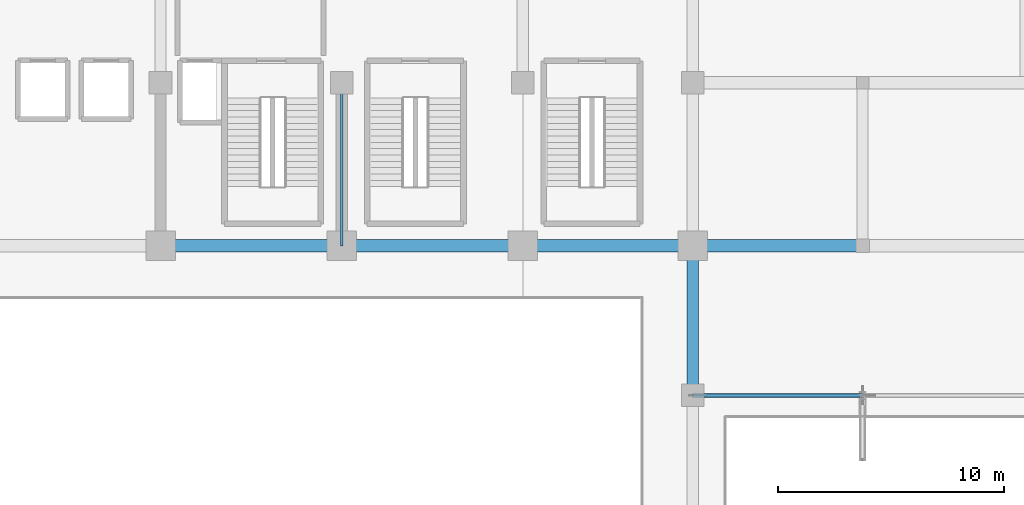
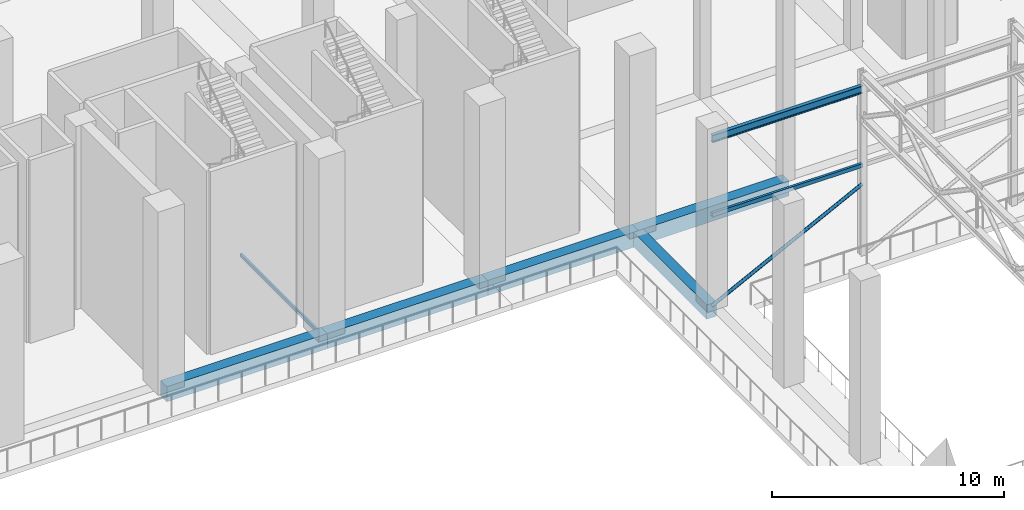
# One storey, part 32 of 80: 6 beams, 3 members.
"""IFC4 building model written with IfcOpenShell, lengths in metres."""

from ifc_helpers import new_model, si_unit, direction, frame, origin, origin_2d, place, context, subcontext, project, spatial, rectangle, hollow_rectangle, hollow_circle, i_section, extrude, material, material_profile, profile_set, type_object, element, save


model = new_model("IFC4")

# Units and contexts
model_context = context("Model", 3, precision=1e-05, world=origin(), true_north=direction((0.0, 1.0)))
body_context = subcontext(model_context, "Body", "Model", "MODEL_VIEW")
ifc_project = project(units=[si_unit("LENGTHUNIT", "METRE"), si_unit("AREAUNIT", "SQUARE_METRE"), si_unit("VOLUMEUNIT", "CUBIC_METRE"), si_unit("PLANEANGLEUNIT", "RADIAN"), si_unit("MASSUNIT", "GRAM", prefix="KILO")], contexts=[model_context])

# Site, building, storey
site_placement = place(None, origin())
site = spatial("IfcSite", under=ifc_project, at=site_placement, CompositionType="ELEMENT")
building_placement = place(site_placement, origin())
building = spatial("IfcBuilding", under=site, at=building_placement, Name="Akrevak Sports Hall", CompositionType="ELEMENT")
storey_placement = place(building_placement, frame((0.0, 0.0, 14.0)))
storey = spatial("IfcBuildingStorey", under=building, at=storey_placement, Name="L03", CompositionType="ELEMENT", Elevation=14.0)

# Beams
ifc_material_1 = material(Name="Concrete C40/50", Category="concrete")
ifc_material_profile_1 = material_profile(ifc_material_1, rectangle(XDim=0.5, YDim=0.75, at=origin_2d()), Name="BM 500x750", Category="concrete")
ifc_profile_set_1 = profile_set([ifc_material_profile_1], Name="Concrete C40/50")
beam_type_1 = type_object("IfcBeamType", Name="STR-BM-RC500x750", PredefinedType="BEAM", material=ifc_profile_set_1)
beam_1_placement = place(storey_placement, frame((115.5, 48.60009765625, -0.375), z_axis=(0.0, 1.0, 0.0), x_axis=(-1.0, 0.0, 0.0)))
element("IfcBeam", 1, at=beam_1_placement, inside=storey, type_object=beam_type_1, Name="Girder 16/H-I (L03)", PredefinedType="BEAM", context=body_context, shape_type="SweptSolid", body=[
    extrude(rectangle(XDim=0.5, YDim=0.75, at=origin_2d()), origin(), (0.0, 0.0, 1.0), 6.599853515625),
])
ifc_material_profile_2 = material_profile(ifc_material_1, rectangle(XDim=0.550048828125, YDim=0.800048828125, at=origin_2d()), Name="BM 550x800", Category="concrete")
ifc_profile_set_2 = profile_set([ifc_material_profile_2], Name="Concrete C40/50")
beam_type_2 = type_object("IfcBeamType", Name="STR-BM-RC550x800", PredefinedType="BEAM", material=ifc_profile_set_2)
for number, where, z_axis, x_axis, name in (
    (2, (92.0, 55.199951171875, -0.39990234375), (1.0, 0.0, 0.0), (0.0, 1.0, 0.0), "Girder I/13-14 (L03)"),
    (3, (100.0, 55.199951171875, -0.39990234375), (1.0, 0.0, 0.0), (0.0, 1.0, 0.0), "Girder I/14-15 (L03)"),
):
    element("IfcBeam", number, at=place(storey_placement, frame(where, z_axis=z_axis, x_axis=x_axis)), inside=storey, type_object=beam_type_2, Name=name, PredefinedType="BEAM", context=body_context, shape_type="SweptSolid", body=[
        extrude(rectangle(XDim=0.550048828125, YDim=0.800048828125, at=origin_2d()), origin(), (0.0, 0.0, 1.0), 8.0),
    ])
for number, where, z_axis, x_axis, name in (
    (4, (108.0, 55.199951171875, -0.39990234375), (1.0, 0.0, 0.0), (0.0, 1.0, 0.0), "Girder I/15-16 (L03)"),
    (5, (115.5, 55.199951171875, -0.39990234375), (1.0, 0.0, 0.0), (0.0, 1.0, 0.0), "Girder I/16-17 (L03)"),
):
    element("IfcBeam", number, at=place(storey_placement, frame(where, z_axis=z_axis, x_axis=x_axis)), inside=storey, type_object=beam_type_2, Name=name, PredefinedType="BEAM", context=body_context, shape_type="SweptSolid", body=[
        extrude(rectangle(XDim=0.550048828125, YDim=0.800048828125, at=origin_2d()), origin(), (0.0, 0.0, 1.0), 7.5),
    ])
ifc_material_2 = material(Name="Steel S355", Category="steel")
ifc_material_profile_3 = material_profile(ifc_material_2, i_section(OverallWidth=0.179931640625, OverallDepth=0.39990234375, WebThickness=0.008544921875, FlangeThickness=0.013427734375, FilletRadius=0.02099609375, at=origin_2d()), Name="IPE 400", Category="steel")
ifc_profile_set_3 = profile_set([ifc_material_profile_3], Name="Steel S355")
beam_type_3 = type_object("IfcBeamType", Name="STR-BM-STL-IPE400", PredefinedType="JOIST", material=ifc_profile_set_3)
beam_2_placement = place(storey_placement, frame((115.5, 48.60009765625, 8.699951171875), z_axis=(1.0, 0.0, 0.0), x_axis=(0.0, 1.0, 0.0)))
element("IfcBeam", 6, at=beam_2_placement, inside=storey, type_object=beam_type_3, Name="Climbing Frame Tie Beam 1 (L03)", PredefinedType="JOIST", context=body_context, shape_type="SweptSolid", body=[
    extrude(i_section(OverallWidth=0.179931640625, OverallDepth=0.39990234375, WebThickness=0.008544921875, FlangeThickness=0.013427734375, FilletRadius=0.02099609375, at=origin_2d()), origin(), (0.0, 0.0, 1.0), 7.5),
])

# Members
ifc_material_profile_4 = material_profile(ifc_material_2, hollow_circle(Radius=0.084228515625, WallThickness=0.008056640625, at=origin_2d()), Name="CHS 168.3x8", Category="steel")
ifc_profile_set_4 = profile_set([ifc_material_profile_4], Name="Steel S355")
member_type_1 = type_object("IfcMemberType", Name="STR-MEM-BRACE-CHS168", PredefinedType="BRACE", material=ifc_profile_set_4)
member_1_placement = place(storey_placement, frame((115.5, 48.60009765625, -0.1298828125), z_axis=(0.892045141587, 0.0, 0.451946308062), x_axis=(0.0, 1.0, 0.0)))
element("IfcMember", 7, at=member_1_placement, inside=storey, type_object=member_type_1, Name="Climbing Wall Diagonal Brace BR-1 (L03)", PredefinedType="BRACE", context=body_context, shape_type="SweptSolid", body=[
    extrude(hollow_circle(Radius=0.084228515625, WallThickness=0.008056640625, at=origin_2d()), origin(), (0.0, 0.0, 1.0), 8.40771484375),
])
ifc_material_profile_5 = material_profile(ifc_material_2, hollow_rectangle(XDim=0.10009765625, YDim=0.179931640625, WallThickness=0.008056640625, at=origin_2d()), Name="RHS 180x100x8", Category="steel")
ifc_profile_set_5 = profile_set([ifc_material_profile_5], Name="Steel S355")
member_type_2 = type_object("IfcMemberType", Name="STR-MEM-STR-RHS180", PredefinedType="STRINGER", material=ifc_profile_set_5)
member_2_placement = place(storey_placement, frame((100.0, 55.199951171875, -0.3798828125), z_axis=(0.0, 1.0, 0.0), x_axis=(-1.0, 0.0, 0.0)))
element("IfcMember", 8, at=member_2_placement, inside=storey, type_object=member_type_2, Name="Upper Gallery Tie Stringer 5", PredefinedType="STRINGER", context=body_context, shape_type="SweptSolid", body=[
    extrude(hollow_rectangle(XDim=0.10009765625, YDim=0.179931640625, WallThickness=0.008056640625, at=origin_2d()), origin(), (0.0, 0.0, 1.0), 7.199951171875),
])
ifc_material_profile_6 = material_profile(ifc_material_2, hollow_rectangle(XDim=0.1201171875, YDim=0.199951171875, WallThickness=0.010009765625, at=origin_2d()), Name="RHS 200x120x10", Category="steel")
ifc_profile_set_6 = profile_set([ifc_material_profile_6], Name="Steel S355")
member_type_3 = type_object("IfcMemberType", Name="STR-MEM-STR-RHS200", PredefinedType="STRINGER", material=ifc_profile_set_6)
member_3_placement = place(storey_placement, frame((115.5, 48.60009765625, 4.68505859375), z_axis=(1.0, 0.0, 0.0), x_axis=(0.0, 1.0, 0.0)))
element("IfcMember", 9, at=member_3_placement, inside=storey, type_object=member_type_3, Name="Climbing Wall Stringer STG-1 (L03)", PredefinedType="STRINGER", context=body_context, shape_type="SweptSolid", body=[
    extrude(hollow_rectangle(XDim=0.1201171875, YDim=0.199951171875, WallThickness=0.010009765625, at=origin_2d()), origin(), (0.0, 0.0, 1.0), 7.5),
])

save(model, "model.ifc")
